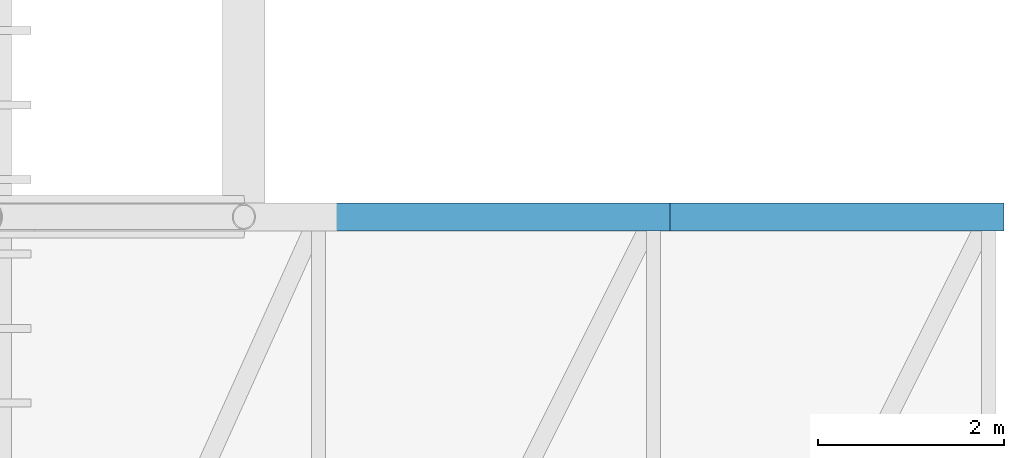
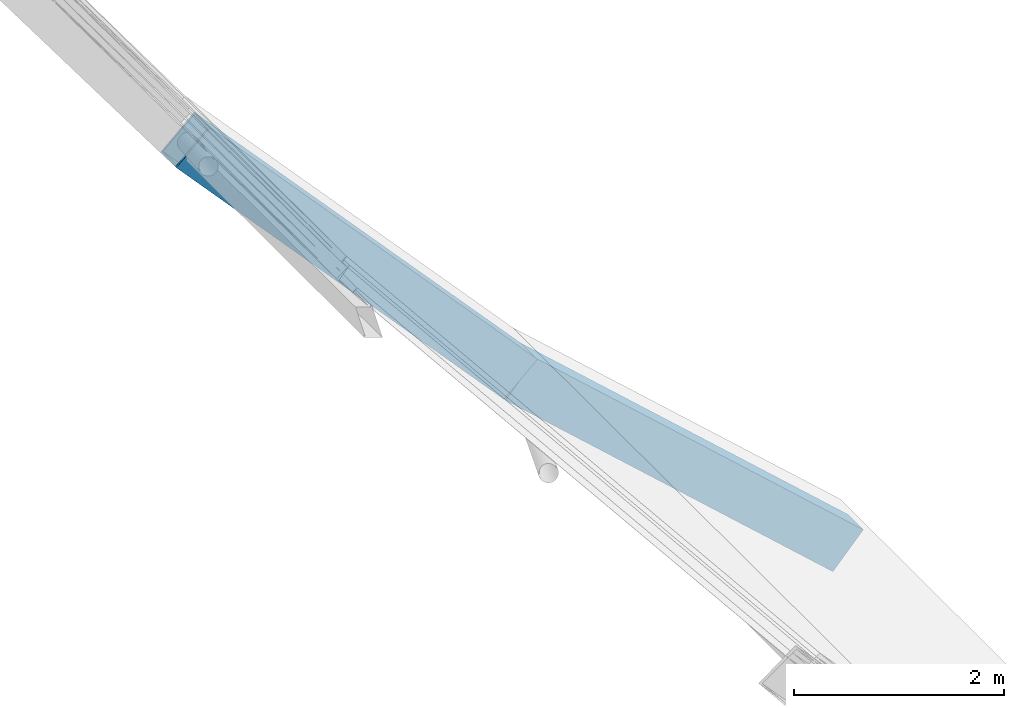
# One storey, part 156 of 397: 2 beams.
"""IFC4 building model written with IfcOpenShell, lengths in metres."""

from ifc_helpers import new_model, si_unit, direction, frame, origin, origin_2d, place, context, subcontext, project, spatial, hollow_rectangle, extrude, material, material_profile, profile_set, type_object, element, save


model = new_model("IFC4")

# Units and contexts
model_context = context("Model", 3, precision=1e-05, world=origin(), true_north=direction((0.0, 1.0)))
body_context = subcontext(model_context, "Body", "Model", "MODEL_VIEW")
ifc_project = project(units=[si_unit("LENGTHUNIT", "METRE"), si_unit("AREAUNIT", "SQUARE_METRE"), si_unit("VOLUMEUNIT", "CUBIC_METRE"), si_unit("PLANEANGLEUNIT", "RADIAN"), si_unit("MASSUNIT", "GRAM", prefix="KILO")], contexts=[model_context])

# Site, building, storey
site_placement = place(None, origin())
site = spatial("IfcSite", under=ifc_project, at=site_placement, CompositionType="ELEMENT")
building_placement = place(site_placement, origin())
building = spatial("IfcBuilding", under=site, at=building_placement, Name="Qandorah Velis Arena", CompositionType="ELEMENT")
storey_placement = place(building_placement, frame((0.0, 0.0, 27.5)))
storey = spatial("IfcBuildingStorey", under=building, at=storey_placement, Name="RF", CompositionType="ELEMENT", Elevation=27.5)

# Beams
ifc_material = material(Name="Steel S355", Category="steel")
ifc_material_profile = material_profile(ifc_material, hollow_rectangle(XDim=0.300048828125, YDim=0.5, WallThickness=0.02001953125, at=origin_2d()), Name="RHS 500x300x20")
ifc_profile_set = profile_set([ifc_material_profile], Name="Steel S355")
beam_type = type_object("IfcBeamType", Name="STR-CRB-RHS500", PredefinedType="USERDEFINED", material=ifc_profile_set)
beam_1_placement = place(storey_placement, frame((118.800048828125, 43.199951171875, -3.84130859375), z_axis=(0.673388510151, 0.0, -0.739288789578), x_axis=(0.0, 1.0, 0.0)))
element("IfcBeam", 1, at=beam_1_placement, inside=storey, type_object=beam_type, Name="Sweeping canopy rib CRB-5.02", ObjectType="ROOF TRUSS", PredefinedType="USERDEFINED", context=body_context, shape_type="SweptSolid", body=[
    extrude(hollow_rectangle(XDim=0.300048828125, YDim=0.5, WallThickness=0.02001953125, at=origin_2d()), origin(), (0.0, 0.0, 1.0), 5.345947265625),
])
beam_2_placement = place(storey_placement, frame((122.39990234375, 43.199951171875, -7.79345703125), z_axis=(0.741976678185, 0.0, -0.6704256924), x_axis=(0.0, 1.0, 0.0)))
element("IfcBeam", 2, at=beam_2_placement, inside=storey, type_object=beam_type, Name="Sweeping canopy rib CRB-5.03", ObjectType="ROOF TRUSS", PredefinedType="USERDEFINED", context=body_context, shape_type="SweptSolid", body=[
    extrude(hollow_rectangle(XDim=0.300048828125, YDim=0.5, WallThickness=0.02001953125, at=origin_2d()), origin(), (0.0, 0.0, 1.0), 4.85205078125),
])

save(model, "model.ifc")
